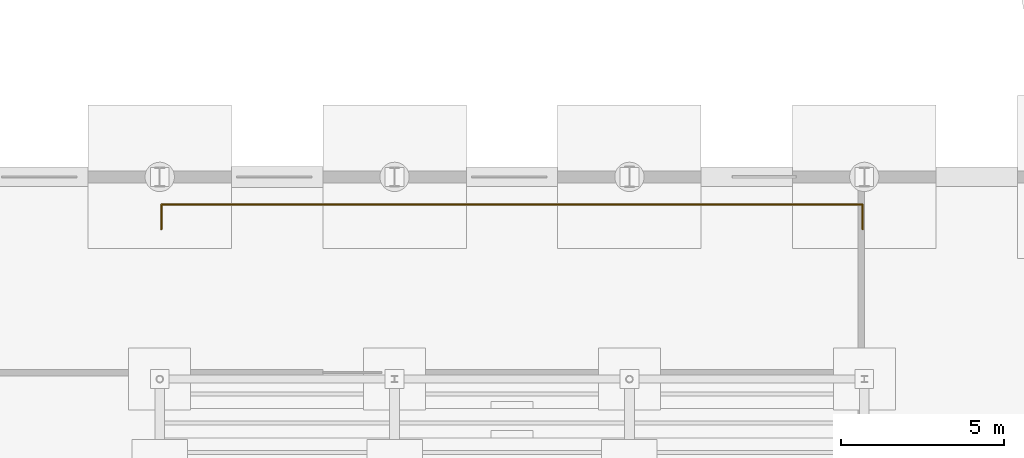
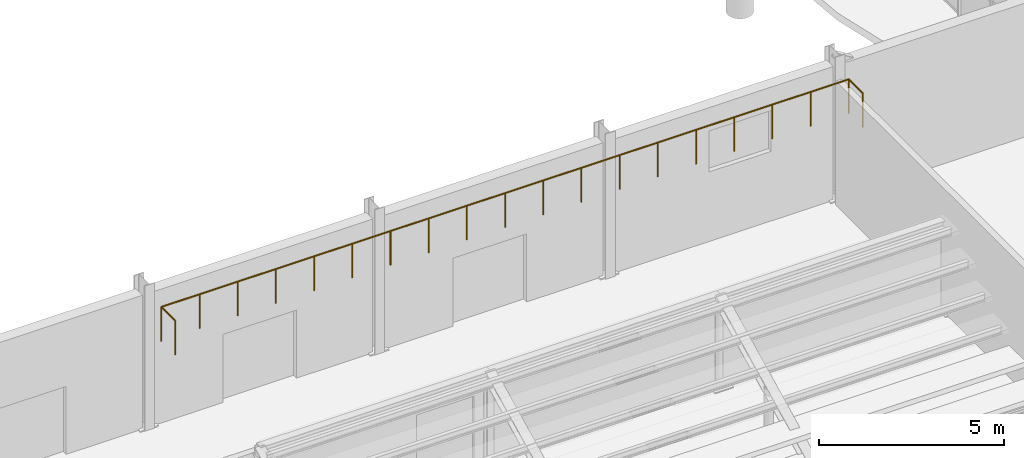
# One storey, part 88 of 101: 1 railing.
"""IFC4 building model written with IfcOpenShell, lengths in metres."""

from ifc_helpers import new_model, si_unit, derived_unit, direction, frame, origin, origin_2d, place, context, subcontext, project, spatial, circle, extrude, material, type_object, element, save


model = new_model("IFC4")

# Units and contexts
model_context = context("Model", 3, precision=1e-05, world=origin(), true_north=direction((0.0, 1.0)))
body_context = subcontext(model_context, "Body", "Model", "MODEL_VIEW")
ifc_project = project(units=[si_unit("LENGTHUNIT", "METRE"), si_unit("AREAUNIT", "SQUARE_METRE"), si_unit("VOLUMEUNIT", "CUBIC_METRE"), si_unit("PLANEANGLEUNIT", "RADIAN"), si_unit("MASSUNIT", "GRAM", prefix="KILO"), derived_unit("THERMALTRANSMITTANCEUNIT", [(si_unit("POWERUNIT", "WATT"), 1), (si_unit("LENGTHUNIT", "METRE"), -2), (si_unit("THERMODYNAMICTEMPERATUREUNIT", "KELVIN"), -1)])], contexts=[model_context])

# Site, building, storey
site_placement = place(None, origin())
site = spatial("IfcSite", under=ifc_project, at=site_placement, CompositionType="ELEMENT")
building_placement = place(site_placement, origin())
building = spatial("IfcBuilding", under=site, at=building_placement, Name="Keldorne Ridge Multi-Sports Centre", CompositionType="ELEMENT")
storey_placement = place(building_placement, origin())
storey = spatial("IfcBuildingStorey", under=building, at=storey_placement, Name="L00", CompositionType="ELEMENT", Elevation=0.0)

# Railing
ifc_material = material(Name="Painted steel", Category="steel")
railing_type = type_object("IfcRailingType", Name="RLG-BL-02", PredefinedType="BALUSTRADE", material=ifc_material)
railing_placement = place(storey_placement, frame((49.25, 52.39990234375, 3.25)))
element("IfcRailing", 1, at=railing_placement, inside=storey, type_object=railing_type, Name="Safety balustrade RLG-STD-NE", PredefinedType="BALUSTRADE", context=body_context, shape_type="SweptSolid", body=[
    extrude(circle(Radius=0.02392578125, at=origin_2d()), frame((0.0, 0.0, 1.1259765625), z_axis=(0.0, 1.0, 0.0), x_axis=(-1.0, 0.0, 0.0)), (0.0, 0.0, 1.0), 0.75),
    extrude(circle(Radius=0.02392578125, at=origin_2d()), frame((0.0, 0.75, 1.1259765625), z_axis=(1.0, 0.0, 0.0), x_axis=(0.0, 1.0, 0.0)), (0.0, 0.0, 1.0), 21.5),
    extrude(circle(Radius=0.02392578125, at=origin_2d()), frame((21.5, 0.75, 1.1259765625), z_axis=(0.0, -1.0, 0.0), x_axis=(1.0, 0.0, 0.0)), (0.0, 0.0, 1.0), 0.75),
    extrude(circle(Radius=0.02099609375, at=origin_2d()), origin(), (0.0, 0.0, 1.0), 1.101806640625),
    extrude(circle(Radius=0.02099609375, at=origin_2d()), frame((0.0, 0.75, 0.0)), (0.0, 0.0, 1.0), 1.101806640625),
    extrude(circle(Radius=0.02099609375, at=origin_2d()), frame((1.1943359375, 0.75, 0.0)), (0.0, 0.0, 1.0), 1.101806640625),
    extrude(circle(Radius=0.02099609375, at=origin_2d()), frame((2.388916015625, 0.75, 0.0)), (0.0, 0.0, 1.0), 1.101806640625),
    extrude(circle(Radius=0.02099609375, at=origin_2d()), frame((3.583251953125, 0.75, 0.0)), (0.0, 0.0, 1.0), 1.101806640625),
    extrude(circle(Radius=0.02099609375, at=origin_2d()), frame((4.77783203125, 0.75, 0.0)), (0.0, 0.0, 1.0), 1.101806640625),
    extrude(circle(Radius=0.02099609375, at=origin_2d()), frame((5.97216796875, 0.75, 0.0)), (0.0, 0.0, 1.0), 1.101806640625),
    extrude(circle(Radius=0.02099609375, at=origin_2d()), frame((7.166748046875, 0.75, 0.0)), (0.0, 0.0, 1.0), 1.101806640625),
    extrude(circle(Radius=0.02099609375, at=origin_2d()), frame((8.361083984375, 0.75, 0.0)), (0.0, 0.0, 1.0), 1.101806640625),
    extrude(circle(Radius=0.02099609375, at=origin_2d()), frame((9.5556640625, 0.75, 0.0)), (0.0, 0.0, 1.0), 1.101806640625),
    extrude(circle(Radius=0.02099609375, at=origin_2d()), frame((10.75, 0.75, 0.0)), (0.0, 0.0, 1.0), 1.101806640625),
    extrude(circle(Radius=0.02099609375, at=origin_2d()), frame((11.9443359375, 0.75, 0.0)), (0.0, 0.0, 1.0), 1.101806640625),
    extrude(circle(Radius=0.02099609375, at=origin_2d()), frame((13.138916015625, 0.75, 0.0)), (0.0, 0.0, 1.0), 1.101806640625),
    extrude(circle(Radius=0.02099609375, at=origin_2d()), frame((14.333251953125, 0.75, 0.0)), (0.0, 0.0, 1.0), 1.101806640625),
    extrude(circle(Radius=0.02099609375, at=origin_2d()), frame((15.52783203125, 0.75, 0.0)), (0.0, 0.0, 1.0), 1.101806640625),
    extrude(circle(Radius=0.02099609375, at=origin_2d()), frame((16.72216796875, 0.75, 0.0)), (0.0, 0.0, 1.0), 1.101806640625),
    extrude(circle(Radius=0.02099609375, at=origin_2d()), frame((17.916748046875, 0.75, 0.0)), (0.0, 0.0, 1.0), 1.101806640625),
    extrude(circle(Radius=0.02099609375, at=origin_2d()), frame((19.111083984375, 0.75, 0.0)), (0.0, 0.0, 1.0), 1.101806640625),
    extrude(circle(Radius=0.02099609375, at=origin_2d()), frame((20.3056640625, 0.75, 0.0)), (0.0, 0.0, 1.0), 1.101806640625),
    extrude(circle(Radius=0.02099609375, at=origin_2d()), frame((21.5, 0.75, 0.0)), (0.0, 0.0, 1.0), 1.101806640625),
    extrude(circle(Radius=0.02099609375, at=origin_2d()), frame((21.5, 0.0, 0.0)), (0.0, 0.0, 1.0), 1.101806640625),
])

save(model, "model.ifc")
